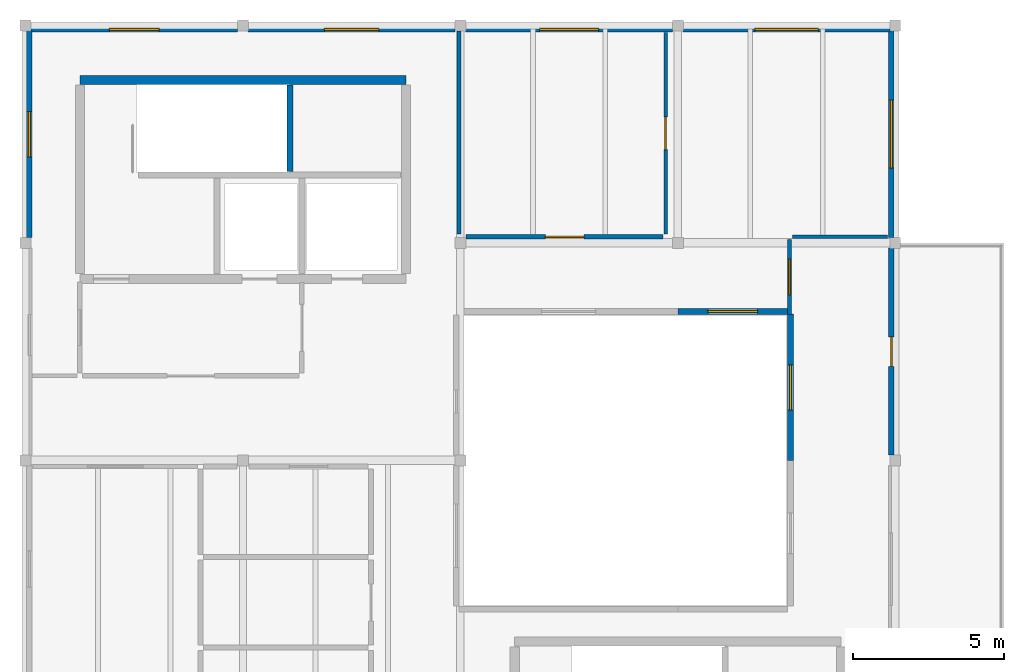
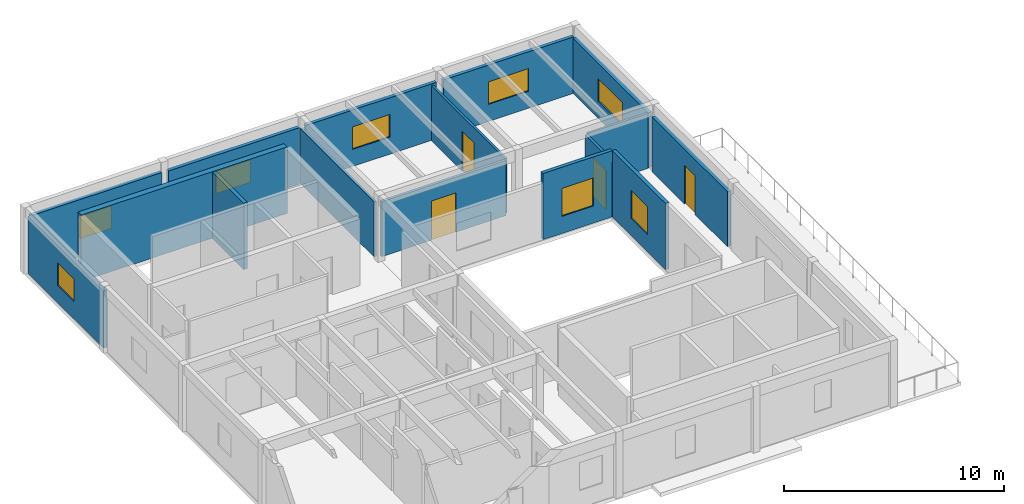
# One storey, part 4 of 5: 16 walls, 8 windows, 4 doors, 12 openings.
"""IFC4 building model written with IfcOpenShell, lengths in metres."""

from ifc_helpers import new_model, si_unit, direction, frame, frame_2d, origin, place, context, subcontext, project, spatial, rectangle, extrude, material, layer, layer_set, type_object, element, fill, save


model = new_model("IFC4")

# Units and contexts
model_context = context("Model", 3, precision=1e-05, world=origin(), true_north=direction((0.0, 1.0)))
body_context = subcontext(model_context, "Body", "Model", "MODEL_VIEW")
ifc_project = project(units=[si_unit("LENGTHUNIT", "METRE"), si_unit("AREAUNIT", "SQUARE_METRE"), si_unit("VOLUMEUNIT", "CUBIC_METRE"), si_unit("PLANEANGLEUNIT", "RADIAN"), si_unit("MASSUNIT", "GRAM", prefix="KILO")], contexts=[model_context])

# Site, building, storey
site_placement = place(None, origin())
site = spatial("IfcSite", under=ifc_project, at=site_placement, CompositionType="ELEMENT")
building_placement = place(site_placement, origin())
building = spatial("IfcBuilding", under=site, at=building_placement, Name="Bramvelor Terrace Health Centre", CompositionType="ELEMENT")
storey_placement = place(building_placement, frame((0.0, 0.0, 21.60009765625)))
storey = spatial("IfcBuildingStorey", under=building, at=storey_placement, Name="L06", CompositionType="ELEMENT", Elevation=21.60009765625)

# Wall
ifc_material_1 = material(Name="Acoustic clinical partition board", Category="gypsum")
ifc_layer_1 = layer(ifc_material_1, 0.110107421875)
ifc_layer_set_1 = layer_set([ifc_layer_1], Name="Acoustic clinical partition board")
wall_type_1 = type_object("IfcWallType", Name="WL-CLN-110", PredefinedType="PARTITIONING", material=ifc_layer_set_1)
wall_1_placement = place(storey_placement, frame((25.39208984375, 108.199951171875, 0.0), z_axis=(0.0, 0.0, 1.0), x_axis=(1.0, 0.0, 0.0)))
element("IfcWall", 1, at=wall_1_placement, inside=storey, type_object=wall_type_1, Name="L06 Interior Partition 381", PredefinedType="PARTITIONING", context=body_context, shape_type="SweptSolid", body=[
    extrude(rectangle(XDim=3.157958984375, YDim=0.110107421875, at=frame_2d((1.5791015625, 0.0))), origin(), (0.0, 0.0, 1.0), 3.0498046875),
])

# Wall, opening, door
ifc_material_2 = material(Name="Acoustic clinical partition board", Category="gypsum")
ifc_layer_2 = layer(ifc_material_2, 0.1201171875)
ifc_layer_set_2 = layer_set([ifc_layer_2], Name="Acoustic clinical partition board")
wall_type_2 = type_object("IfcWallType", Name="WL-CLN-120", PredefinedType="PARTITIONING", material=ifc_layer_set_2)
wall_2_placement = place(storey_placement, frame((21.199951171875, 114.967529296875, 0.0), z_axis=(0.0, 0.0, 1.0), x_axis=(0.0, -1.0, 0.0)))
wall_2 = element("IfcWall", 2, at=wall_2_placement, inside=storey, type_object=wall_type_2, Name="L06 Interior Partition 377", PredefinedType="PARTITIONING", context=body_context, shape_type="SweptSolid", body=[
    extrude(rectangle(XDim=6.675537109375, YDim=0.1201171875, at=frame_2d((3.337890625, 0.0))), origin(), (0.0, 0.0, 1.0), 3.0498046875),
])
opening_1_placement = place(wall_2_placement, frame((2.792724609375, 0.0, 0.0)))
opening_1 = element("IfcOpeningElement", 3, at=opening_1_placement, cuts=wall_2, Name="Opening ID-C07", PredefinedType="OPENING", context=body_context, shape_type="SweptSolid", body=[
    extrude(rectangle(XDim=1.090087890625, YDim=2.219970703125, at=frame_2d((0.544921875, 1.10986328125))), frame((0.0, 0.070068359375, 0.0), z_axis=(0.0, -1.0, 0.0), x_axis=(1.0, 0.0, 0.0)), (0.0, 0.0, 1.0), 0.14013671875),
])
ifc_material_3 = material(Name="Solid-core acoustic timber laminate", Category="wood")
door_type_1 = type_object("IfcDoorType", Name="DR-CLN-07", OperationType="NOTDEFINED", PredefinedType="DOOR", material=ifc_material_3)
door_1_placement = place(opening_1_placement, origin())
door_1 = element("IfcDoor", 4, at=door_1_placement, inside=storey, type_object=door_type_1, Name="L06 Vaccine Cold-Chain Quality Lab Clinical Door", OperationType="SINGLE_SWING_RIGHT", OverallHeight=2.219970703125, OverallWidth=1.090087890625, PredefinedType="DOOR", context=body_context, shape_type="SweptSolid", body=[
    extrude(rectangle(XDim=1.090087890625, YDim=2.219970703125, at=frame_2d((0.544921875, 1.10986328125))), frame((0.0, 0.02490234375, 0.0), z_axis=(0.0, -1.0, 0.0), x_axis=(1.0, 0.0, 0.0)), (0.0, 0.0, 1.0), 0.050048828125),
])
fill(opening_1, door_1)

# Wall
ifc_material_4 = material(Name="Acoustic clinical partition board", Category="gypsum")
ifc_layer_3 = layer(ifc_material_4, 0.1298828125)
ifc_layer_set_3 = layer_set([ifc_layer_3], Name="Acoustic clinical partition board")
wall_type_3 = type_object("IfcWallType", Name="WL-CLN-130", PredefinedType="PARTITIONING", material=ifc_layer_set_3)
wall_3_placement = place(storey_placement, frame((14.35009765625, 108.2919921875, 0.0), z_axis=(0.0, 0.0, 1.0), x_axis=(0.0, 1.0, 0.0)))
element("IfcWall", 5, at=wall_3_placement, inside=storey, type_object=wall_type_3, Name="L06 Interior Partition 379", PredefinedType="PARTITIONING", context=body_context, shape_type="SweptSolid", body=[
    extrude(rectangle(XDim=6.718017578125, YDim=0.1298828125, at=frame_2d((3.35888671875, 0.0))), origin(), (0.0, 0.0, 1.0), 3.0498046875),
])

# Wall, opening, door
ifc_material_5 = material(Name="Fire-rated gypsum and mineral wool", Category="gypsum")
ifc_layer_4 = layer(ifc_material_5, 0.139892578125)
ifc_layer_set_4 = layer_set([ifc_layer_4], Name="Fire-rated gypsum and mineral wool")
wall_type_4 = type_object("IfcWallType", Name="WL-COR-140", PredefinedType="PARTITIONING", material=ifc_layer_set_4)
wall_4_placement = place(storey_placement, frame((21.110107421875, 108.201904296875, 0.0), z_axis=(0.0, 0.0, 1.0), x_axis=(-1.0, 0.0, 0.0)))
wall_4 = element("IfcWall", 6, at=wall_4_placement, inside=storey, type_object=wall_type_4, Name="L06 Interior Partition 378", PredefinedType="PARTITIONING", context=body_context, shape_type="SweptSolid", body=[
    extrude(rectangle(XDim=6.51513671875, YDim=0.139892578125, at=frame_2d((3.257568359375, 0.0))), origin(), (0.0, 0.0, 1.0), 3.0498046875),
])
opening_2_placement = place(wall_4_placement, frame((2.617431640625, 0.0, 0.0)))
opening_2 = element("IfcOpeningElement", 7, at=opening_2_placement, cuts=wall_4, Name="Opening FD-01", PredefinedType="OPENING", context=body_context, shape_type="SweptSolid", body=[
    extrude(rectangle(XDim=1.280029296875, YDim=2.179931640625, at=frame_2d((0.64013671875, 1.08984375))), frame((0.0, 0.079833984375, 0.0), z_axis=(0.0, -1.0, 0.0), x_axis=(1.0, 0.0, 0.0)), (0.0, 0.0, 1.0), 0.159912109375),
])
ifc_material_6 = material(Name="Fire-rated steel and vision panel", Category="steel")
door_type_2 = type_object("IfcDoorType", Name="DR-FD90-128", OperationType="NOTDEFINED", PredefinedType="DOOR", material=ifc_material_6)
door_2_placement = place(opening_2_placement, origin())
door_2 = element("IfcDoor", 8, at=door_2_placement, inside=storey, type_object=door_type_2, Name="L06 Clinical Simulation Skills Training Lab Fire Door", OperationType="SINGLE_SWING_RIGHT", OverallHeight=2.179931640625, OverallWidth=1.280029296875, PredefinedType="DOOR", context=body_context, shape_type="SweptSolid", body=[
    extrude(rectangle(XDim=1.280029296875, YDim=2.179931640625, at=frame_2d((0.64013671875, 1.08984375))), frame((0.0, 0.02490234375, 0.0), z_axis=(0.0, -1.0, 0.0), x_axis=(1.0, 0.0, 0.0)), (0.0, 0.0, 1.0), 0.050048828125),
])
fill(opening_2, door_2)

wall_5_placement = place(storey_placement, frame((25.302001953125, 105.635009765625, 0.0), z_axis=(0.0, 0.0, 1.0), x_axis=(0.0, 1.0, 0.0)))
wall_5 = element("IfcWall", 9, at=wall_5_placement, inside=storey, type_object=wall_type_4, Name="L06 Interior Partition 380", PredefinedType="PARTITIONING", context=body_context, shape_type="SweptSolid", body=[
    extrude(rectangle(XDim=2.47509765625, YDim=0.139892578125, at=frame_2d((1.237548828125, 0.0))), origin(), (0.0, 0.0, 1.0), 3.0498046875),
])
opening_3_placement = place(wall_5_placement, frame((0.6474609375, 0.0, 0.0)))
opening_3 = element("IfcOpeningElement", 10, at=opening_3_placement, cuts=wall_5, Name="Opening FD-02", PredefinedType="OPENING", context=body_context, shape_type="SweptSolid", body=[
    extrude(rectangle(XDim=1.179931640625, YDim=2.159912109375, at=frame_2d((0.58984375, 1.080078125))), frame((0.0, 0.079833984375, 0.0), z_axis=(0.0, -1.0, 0.0), x_axis=(1.0, 0.0, 0.0)), (0.0, 0.0, 1.0), 0.159912109375),
])
ifc_material_7 = material(Name="Fire-rated steel and vision panel", Category="steel")
door_type_3 = type_object("IfcDoorType", Name="DR-FD90-118", OperationType="NOTDEFINED", PredefinedType="DOOR", material=ifc_material_7)
door_3_placement = place(opening_3_placement, origin())
door_3 = element("IfcDoor", 11, at=door_3_placement, inside=storey, type_object=door_type_3, Name="L06 Public Health Emergency Operations Room Fire Door", OperationType="SINGLE_SWING_LEFT", OverallHeight=2.159912109375, OverallWidth=1.179931640625, PredefinedType="DOOR", context=body_context, shape_type="SweptSolid", body=[
    extrude(rectangle(XDim=1.179931640625, YDim=2.159912109375, at=frame_2d((0.58984375, 1.080078125))), frame((0.0, 0.02490234375, 0.0), z_axis=(0.0, -1.0, 0.0), x_axis=(1.0, 0.0, 0.0)), (0.0, 0.0, 1.0), 0.050048828125),
])
fill(opening_3, door_3)

# Walls
ifc_material_8 = material(Name="Concrete C40/50", Category="concrete")
ifc_layer_5 = layer(ifc_material_8, 0.199951171875)
ifc_layer_set_5 = layer_set([ifc_layer_5], Name="Concrete C40/50")
wall_type_5 = type_object("IfcWallType", Name="WL-CORE-200", PredefinedType="SHEAR", material=ifc_layer_set_5)
wall_6_placement = place(storey_placement, frame((8.7548828125, 110.3701171875, 0.0), z_axis=(0.0, 0.0, 1.0), x_axis=(0.0, 1.0, 0.0)))
element("IfcWall", 12, at=wall_6_placement, inside=storey, type_object=wall_type_5, Name="C1 L06 Core Shear Wall", PredefinedType="SHEAR", context=body_context, shape_type="SweptSolid", body=[
    extrude(rectangle(XDim=2.849853515625, YDim=0.199951171875, at=frame_2d((1.4248046875, 0.0))), origin(), (0.0, 0.0, 1.0), 3.684814453125),
])
ifc_material_9 = material(Name="Concrete C40/50", Category="concrete")
ifc_layer_6 = layer(ifc_material_9, 0.300048828125)
ifc_layer_set_6 = layer_set([ifc_layer_6], Name="Concrete C40/50")
wall_type_6 = type_object("IfcWallType", Name="WL-CORE-300", PredefinedType="SHEAR", material=ifc_layer_set_6)
wall_7_placement = place(storey_placement, frame((1.800048828125, 113.39990234375, 0.0), z_axis=(0.0, 0.0, 1.0), x_axis=(1.0, 0.0, 0.0)))
element("IfcWall", 13, at=wall_7_placement, inside=storey, type_object=wall_type_6, Name="C1 L06 Core Shear Wall", PredefinedType="SHEAR", context=body_context, shape_type="SweptSolid", body=[
    extrude(rectangle(XDim=10.800048828125, YDim=0.300048828125, at=frame_2d((5.39990234375, 0.0))), origin(), (0.0, 0.0, 1.0), 3.684814453125),
])

# Wall, opening, window
ifc_material_10 = material(Name="Cross-laminated timber C24", Category="wood")
ifc_layer_7 = layer(ifc_material_10, 0.18505859375)
ifc_layer_set_7 = layer_set([ifc_layer_7], Name="Cross-laminated timber C24")
wall_type_7 = type_object("IfcWallType", Name="WL-EXT-CLT185", PredefinedType="SOLIDWALL", material=ifc_layer_set_7)
wall_8_placement = place(storey_placement, frame((0.1298828125, 108.175048828125, 0.0), z_axis=(0.0, 0.0, 1.0), x_axis=(0.0, 1.0, 0.0)))
wall_8 = element("IfcWall", 14, at=wall_8_placement, inside=storey, type_object=wall_type_7, Name="L06 Exterior Facade Wall 6", PredefinedType="SOLIDWALL", context=body_context, shape_type="SweptSolid", body=[
    extrude(rectangle(XDim=6.849853515625, YDim=0.18505859375, at=frame_2d((3.4248046875, 0.0))), origin(), (0.0, 0.0, 1.0), 3.169921875),
])
opening_4_placement = place(wall_8_placement, frame((2.675048828125, 0.0, 0.949951171875)))
opening_4 = element("IfcOpeningElement", 15, at=opening_4_placement, cuts=wall_8, Name="Opening WN-30", PredefinedType="OPENING", context=body_context, shape_type="SweptSolid", body=[
    extrude(rectangle(XDim=1.5, YDim=1.25, at=frame_2d((0.75, 0.625))), frame((0.0, 0.1025390625, 0.0), z_axis=(0.0, -1.0, 0.0), x_axis=(1.0, 0.0, 0.0)), (0.0, 0.0, 1.0), 0.205078125),
])
ifc_material_11 = material(Name="Double low-E laminated glass", Category="glass")
window_type_1 = type_object("IfcWindowType", Name="WIN-EXT-30", PartitioningType="SINGLE_PANEL", PredefinedType="WINDOW", material=ifc_material_11)
window_1_placement = place(opening_4_placement, origin())
window_1 = element("IfcWindow", 16, at=window_1_placement, inside=storey, type_object=window_type_1, Name="L06 Scheduled Clinical Window 270", OverallHeight=1.25, OverallWidth=1.5, PartitioningType="SINGLE_PANEL", PredefinedType="WINDOW", context=body_context, shape_type="SweptSolid", body=[
    extrude(rectangle(XDim=1.5, YDim=1.25, at=frame_2d((0.75, 0.625))), frame((0.0, 0.030029296875, 0.0), z_axis=(0.0, -1.0, 0.0), x_axis=(1.0, 0.0, 0.0)), (0.0, 0.0, 1.0), 0.06005859375),
])
fill(opening_4, window_1)

wall_9_placement = place(storey_placement, frame((0.175048828125, 115.070068359375, 0.0), z_axis=(0.0, 0.0, 1.0), x_axis=(1.0, 0.0, 0.0)))
wall_9 = element("IfcWall", 17, at=wall_9_placement, inside=storey, type_object=wall_type_7, Name="L06 Exterior Facade Wall 7", PredefinedType="SOLIDWALL", context=body_context, shape_type="SweptSolid", body=[
    extrude(rectangle(XDim=6.849853515625, YDim=0.18505859375, at=frame_2d((3.4248046875, 0.0))), origin(), (0.0, 0.0, 1.0), 3.169921875),
])
opening_5_placement = place(wall_9_placement, frame((2.60009765625, 0.0, 0.949951171875)))
opening_5 = element("IfcOpeningElement", 18, at=opening_5_placement, cuts=wall_9, Name="Opening WN-31", PredefinedType="OPENING", context=body_context, shape_type="SweptSolid", body=[
    extrude(rectangle(XDim=1.64990234375, YDim=1.25, at=frame_2d((0.824951171875, 0.625))), frame((0.0, 0.1025390625, 0.0), z_axis=(0.0, -1.0, 0.0), x_axis=(1.0, 0.0, 0.0)), (0.0, 0.0, 1.0), 0.205078125),
])
ifc_material_12 = material(Name="Double low-E laminated glass", Category="glass")
window_type_2 = type_object("IfcWindowType", Name="WIN-EXT-31", PartitioningType="SINGLE_PANEL", PredefinedType="WINDOW", material=ifc_material_12)
window_2_placement = place(opening_5_placement, origin())
window_2 = element("IfcWindow", 19, at=window_2_placement, inside=storey, type_object=window_type_2, Name="L06 Scheduled Clinical Window 271", OverallHeight=1.25, OverallWidth=1.64990234375, PartitioningType="SINGLE_PANEL", PredefinedType="WINDOW", context=body_context, shape_type="SweptSolid", body=[
    extrude(rectangle(XDim=1.64990234375, YDim=1.25, at=frame_2d((0.824951171875, 0.625))), frame((0.0, 0.030029296875, 0.0), z_axis=(0.0, -1.0, 0.0), x_axis=(1.0, 0.0, 0.0)), (0.0, 0.0, 1.0), 0.06005859375),
])
fill(opening_5, window_2)

wall_10_placement = place(storey_placement, frame((7.375, 115.070068359375, 0.0), z_axis=(0.0, 0.0, 1.0), x_axis=(1.0, 0.0, 0.0)))
wall_10 = element("IfcWall", 20, at=wall_10_placement, inside=storey, type_object=wall_type_7, Name="L06 Exterior Facade Wall 8", PredefinedType="SOLIDWALL", context=body_context, shape_type="SweptSolid", body=[
    extrude(rectangle(XDim=6.85009765625, YDim=0.18505859375, at=frame_2d((3.425048828125, 0.0))), origin(), (0.0, 0.0, 1.0), 3.1298828125),
])
opening_6_placement = place(wall_10_placement, frame((2.52490234375, 0.0, 0.949951171875)))
opening_6 = element("IfcOpeningElement", 21, at=opening_6_placement, cuts=wall_10, Name="Opening WN-32", PredefinedType="OPENING", context=body_context, shape_type="SweptSolid", body=[
    extrude(rectangle(XDim=1.800048828125, YDim=1.25, at=frame_2d((0.89990234375, 0.625))), frame((0.0, 0.1025390625, 0.0), z_axis=(0.0, -1.0, 0.0), x_axis=(1.0, 0.0, 0.0)), (0.0, 0.0, 1.0), 0.205078125),
])
ifc_material_13 = material(Name="Double low-E laminated glass", Category="glass")
window_type_3 = type_object("IfcWindowType", Name="WIN-EXT-32", PartitioningType="SINGLE_PANEL", PredefinedType="WINDOW", material=ifc_material_13)
window_3_placement = place(opening_6_placement, origin())
window_3 = element("IfcWindow", 22, at=window_3_placement, inside=storey, type_object=window_type_3, Name="L06 Scheduled Clinical Window 272", OverallHeight=1.25, OverallWidth=1.800048828125, PartitioningType="SINGLE_PANEL", PredefinedType="WINDOW", context=body_context, shape_type="SweptSolid", body=[
    extrude(rectangle(XDim=1.800048828125, YDim=1.25, at=frame_2d((0.89990234375, 0.625))), frame((0.0, 0.030029296875, 0.0), z_axis=(0.0, -1.0, 0.0), x_axis=(1.0, 0.0, 0.0)), (0.0, 0.0, 1.0), 0.06005859375),
])
fill(opening_6, window_3)

wall_11_placement = place(storey_placement, frame((14.574951171875, 115.070068359375, 0.0), z_axis=(0.0, 0.0, 1.0), x_axis=(1.0, 0.0, 0.0)))
wall_11 = element("IfcWall", 23, at=wall_11_placement, inside=storey, type_object=wall_type_7, Name="L06 Exterior Facade Wall 9", PredefinedType="SOLIDWALL", context=body_context, shape_type="SweptSolid", body=[
    extrude(rectangle(XDim=6.85009765625, YDim=0.18505859375, at=frame_2d((3.425048828125, 0.0))), origin(), (0.0, 0.0, 1.0), 3.1298828125),
])
opening_7_placement = place(wall_11_placement, frame((2.449951171875, 0.0, 0.949951171875)))
opening_7 = element("IfcOpeningElement", 24, at=opening_7_placement, cuts=wall_11, Name="Opening WN-33", PredefinedType="OPENING", context=body_context, shape_type="SweptSolid", body=[
    extrude(rectangle(XDim=1.949951171875, YDim=1.25, at=frame_2d((0.97509765625, 0.625))), frame((0.0, 0.1025390625, 0.0), z_axis=(0.0, -1.0, 0.0), x_axis=(1.0, 0.0, 0.0)), (0.0, 0.0, 1.0), 0.205078125),
])
ifc_material_14 = material(Name="Double low-E laminated glass", Category="glass")
window_type_4 = type_object("IfcWindowType", Name="WIN-EXT-33", PartitioningType="SINGLE_PANEL", PredefinedType="WINDOW", material=ifc_material_14)
window_4_placement = place(opening_7_placement, origin())
window_4 = element("IfcWindow", 25, at=window_4_placement, inside=storey, type_object=window_type_4, Name="L06 Scheduled Clinical Window 273", OverallHeight=1.25, OverallWidth=1.949951171875, PartitioningType="SINGLE_PANEL", PredefinedType="WINDOW", context=body_context, shape_type="SweptSolid", body=[
    extrude(rectangle(XDim=1.949951171875, YDim=1.25, at=frame_2d((0.97509765625, 0.625))), frame((0.0, 0.030029296875, 0.0), z_axis=(0.0, -1.0, 0.0), x_axis=(1.0, 0.0, 0.0)), (0.0, 0.0, 1.0), 0.06005859375),
])
fill(opening_7, window_4)

wall_12_placement = place(storey_placement, frame((21.77490234375, 115.070068359375, 0.0), z_axis=(0.0, 0.0, 1.0), x_axis=(1.0, 0.0, 0.0)))
wall_12 = element("IfcWall", 26, at=wall_12_placement, inside=storey, type_object=wall_type_7, Name="L06 Exterior Facade Wall 10", PredefinedType="SOLIDWALL", context=body_context, shape_type="SweptSolid", body=[
    extrude(rectangle(XDim=6.85009765625, YDim=0.18505859375, at=frame_2d((3.425048828125, 0.0))), origin(), (0.0, 0.0, 1.0), 3.1298828125),
])
opening_8_placement = place(wall_12_placement, frame((2.375, 0.0, 0.949951171875)))
opening_8 = element("IfcOpeningElement", 27, at=opening_8_placement, cuts=wall_12, Name="Opening WN-34", PredefinedType="OPENING", context=body_context, shape_type="SweptSolid", body=[
    extrude(rectangle(XDim=2.10009765625, YDim=1.25, at=frame_2d((1.050048828125, 0.625))), frame((0.0, 0.1025390625, 0.0), z_axis=(0.0, -1.0, 0.0), x_axis=(1.0, 0.0, 0.0)), (0.0, 0.0, 1.0), 0.205078125),
])
ifc_material_15 = material(Name="Double low-E laminated glass", Category="glass")
window_type_5 = type_object("IfcWindowType", Name="WIN-EXT-34", PartitioningType="SINGLE_PANEL", PredefinedType="WINDOW", material=ifc_material_15)
window_5_placement = place(opening_8_placement, origin())
window_5 = element("IfcWindow", 28, at=window_5_placement, inside=storey, type_object=window_type_5, Name="L06 Scheduled Clinical Window 274", OverallHeight=1.25, OverallWidth=2.10009765625, PartitioningType="SINGLE_PANEL", PredefinedType="WINDOW", context=body_context, shape_type="SweptSolid", body=[
    extrude(rectangle(XDim=2.10009765625, YDim=1.25, at=frame_2d((1.050048828125, 0.625))), frame((0.0, 0.030029296875, 0.0), z_axis=(0.0, -1.0, 0.0), x_axis=(1.0, 0.0, 0.0)), (0.0, 0.0, 1.0), 0.06005859375),
])
fill(opening_8, window_5)

wall_13_placement = place(storey_placement, frame((28.669921875, 115.02490234375, 0.0), z_axis=(0.0, 0.0, 1.0), x_axis=(0.0, -1.0, 0.0)))
wall_13 = element("IfcWall", 29, at=wall_13_placement, inside=storey, type_object=wall_type_7, Name="L06 Exterior Facade Wall 11", PredefinedType="SOLIDWALL", context=body_context, shape_type="SweptSolid", body=[
    extrude(rectangle(XDim=6.849853515625, YDim=0.18505859375, at=frame_2d((3.4248046875, 0.0))), origin(), (0.0, 0.0, 1.0), 3.0498046875),
])
opening_9_placement = place(wall_13_placement, frame((2.300048828125, 0.0, 0.949951171875)))
opening_9 = element("IfcOpeningElement", 30, at=opening_9_placement, cuts=wall_13, Name="Opening WN-35", PredefinedType="OPENING", context=body_context, shape_type="SweptSolid", body=[
    extrude(rectangle(XDim=2.25, YDim=1.25, at=frame_2d((1.125, 0.625))), frame((0.0, 0.1025390625, 0.0), z_axis=(0.0, -1.0, 0.0), x_axis=(1.0, 0.0, 0.0)), (0.0, 0.0, 1.0), 0.205078125),
])
ifc_material_16 = material(Name="Double low-E laminated glass", Category="glass")
window_type_6 = type_object("IfcWindowType", Name="WIN-EXT-35", PartitioningType="SINGLE_PANEL", PredefinedType="WINDOW", material=ifc_material_16)
window_6_placement = place(opening_9_placement, origin())
window_6 = element("IfcWindow", 31, at=window_6_placement, inside=storey, type_object=window_type_6, Name="L06 Scheduled Clinical Window 275", OverallHeight=1.25, OverallWidth=2.25, PartitioningType="SINGLE_PANEL", PredefinedType="WINDOW", context=body_context, shape_type="SweptSolid", body=[
    extrude(rectangle(XDim=2.25, YDim=1.25, at=frame_2d((1.125, 0.625))), frame((0.0, 0.030029296875, 0.0), z_axis=(0.0, -1.0, 0.0), x_axis=(1.0, 0.0, 0.0)), (0.0, 0.0, 1.0), 0.06005859375),
])
fill(opening_9, window_6)

# Wall, opening, door
wall_14_placement = place(storey_placement, frame((28.669921875, 107.824951171875, 0.0), z_axis=(0.0, 0.0, 1.0), x_axis=(0.0, -1.0, 0.0)))
wall_14 = element("IfcWall", 32, at=wall_14_placement, inside=storey, type_object=wall_type_7, Name="L06 Exterior Facade Wall 12", PredefinedType="SOLIDWALL", context=body_context, shape_type="SweptSolid", body=[
    extrude(rectangle(XDim=6.849853515625, YDim=0.18505859375, at=frame_2d((3.4248046875, 0.0))), origin(), (0.0, 0.0, 1.0), 3.0498046875),
])
opening_10_placement = place(wall_14_placement, frame((2.93505859375, 0.0, 0.0)))
opening_10 = element("IfcOpeningElement", 33, at=opening_10_placement, cuts=wall_14, Name="Opening ED-11", PredefinedType="OPENING", context=body_context, shape_type="SweptSolid", body=[
    extrude(rectangle(XDim=0.97998046875, YDim=2.14990234375, at=frame_2d((0.489990234375, 1.074951171875))), frame((0.0, 0.1025390625, 0.0), z_axis=(0.0, -1.0, 0.0), x_axis=(1.0, 0.0, 0.0)), (0.0, 0.0, 1.0), 0.205078125),
])
ifc_material_17 = material(Name="Anodized aluminium and laminated glass", Category="aluminium")
door_type_4 = type_object("IfcDoorType", Name="DR-EXT-TER-098", OperationType="NOTDEFINED", PredefinedType="DOOR", material=ifc_material_17)
door_4_placement = place(opening_10_placement, origin())
door_4 = element("IfcDoor", 34, at=door_4_placement, inside=storey, type_object=door_type_4, Name="L06 Exterior Door 16", OperationType="SINGLE_SWING_RIGHT", OverallHeight=2.14990234375, OverallWidth=0.97998046875, PredefinedType="DOOR", context=body_context, shape_type="SweptSolid", body=[
    extrude(rectangle(XDim=0.97998046875, YDim=2.14990234375, at=frame_2d((0.489990234375, 1.074951171875))), frame((0.0, 0.02490234375, 0.0), z_axis=(0.0, -1.0, 0.0), x_axis=(1.0, 0.0, 0.0)), (0.0, 0.0, 1.0), 0.050048828125),
])
fill(opening_10, door_4)

# Wall, opening, window
wall_15_placement = place(storey_placement, frame((25.330078125, 100.800048828125, 0.0), z_axis=(0.0, 0.0, 1.0), x_axis=(0.0, 1.0, 0.0)))
wall_15 = element("IfcWall", 35, at=wall_15_placement, inside=storey, type_object=wall_type_7, Name="L06 Exterior Facade Wall 21", PredefinedType="SOLIDWALL", context=body_context, shape_type="SweptSolid", body=[
    extrude(rectangle(XDim=4.850830078125, YDim=0.18505859375, at=frame_2d((2.42529296875, 0.0))), origin(), (0.0, 0.0, 1.0), 3.669921875),
])
opening_11_placement = place(wall_15_placement, frame((1.659912109375, 0.0, 0.949951171875)))
opening_11 = element("IfcOpeningElement", 36, at=opening_11_placement, cuts=wall_15, Name="Opening WN-42", PredefinedType="OPENING", context=body_context, shape_type="SweptSolid", body=[
    extrude(rectangle(XDim=1.5, YDim=1.550048828125, at=frame_2d((0.75, 0.77490234375))), frame((0.0, 0.1025390625, 0.0), z_axis=(0.0, -1.0, 0.0), x_axis=(1.0, 0.0, 0.0)), (0.0, 0.0, 1.0), 0.205078125),
])
ifc_material_18 = material(Name="Double low-E laminated glass", Category="glass")
window_type_7 = type_object("IfcWindowType", Name="WIN-EXT-42", PartitioningType="SINGLE_PANEL", PredefinedType="WINDOW", material=ifc_material_18)
window_7_placement = place(opening_11_placement, origin())
window_7 = element("IfcWindow", 37, at=window_7_placement, inside=storey, type_object=window_type_7, Name="L06 Scheduled Clinical Window 282", OverallHeight=1.550048828125, OverallWidth=1.5, PartitioningType="SINGLE_PANEL", PredefinedType="WINDOW", context=body_context, shape_type="SweptSolid", body=[
    extrude(rectangle(XDim=1.5, YDim=1.550048828125, at=frame_2d((0.75, 0.77490234375))), frame((0.0, 0.030029296875, 0.0), z_axis=(0.0, -1.0, 0.0), x_axis=(1.0, 0.0, 0.0)), (0.0, 0.0, 1.0), 0.06005859375),
])
fill(opening_11, window_7)

wall_16_placement = place(storey_placement, frame((25.239990234375, 105.72998046875, 0.0), z_axis=(0.0, 0.0, 1.0), x_axis=(-1.0, 0.0, 0.0)))
wall_16 = element("IfcWall", 38, at=wall_16_placement, inside=storey, type_object=wall_type_7, Name="L06 Exterior Facade Wall 22", PredefinedType="SOLIDWALL", context=body_context, shape_type="SweptSolid", body=[
    extrude(rectangle(XDim=3.639892578125, YDim=0.18505859375, at=frame_2d((1.81982421875, 0.0))), origin(), (0.0, 0.0, 1.0), 3.669921875),
])
opening_12_placement = place(wall_16_placement, frame((0.9951171875, 0.0, 0.949951171875)))
opening_12 = element("IfcOpeningElement", 39, at=opening_12_placement, cuts=wall_16, Name="Opening WN-43", PredefinedType="OPENING", context=body_context, shape_type="SweptSolid", body=[
    extrude(rectangle(XDim=1.64990234375, YDim=1.550048828125, at=frame_2d((0.824951171875, 0.77490234375))), frame((0.0, 0.1025390625, 0.0), z_axis=(0.0, -1.0, 0.0), x_axis=(1.0, 0.0, 0.0)), (0.0, 0.0, 1.0), 0.205078125),
])
ifc_material_19 = material(Name="Double low-E laminated glass", Category="glass")
window_type_8 = type_object("IfcWindowType", Name="WIN-EXT-43", PartitioningType="SINGLE_PANEL", PredefinedType="WINDOW", material=ifc_material_19)
window_8_placement = place(opening_12_placement, origin())
window_8 = element("IfcWindow", 40, at=window_8_placement, inside=storey, type_object=window_type_8, Name="L06 Scheduled Clinical Window 283", OverallHeight=1.550048828125, OverallWidth=1.64990234375, PartitioningType="SINGLE_PANEL", PredefinedType="WINDOW", context=body_context, shape_type="SweptSolid", body=[
    extrude(rectangle(XDim=1.64990234375, YDim=1.550048828125, at=frame_2d((0.824951171875, 0.77490234375))), frame((0.0, 0.030029296875, 0.0), z_axis=(0.0, -1.0, 0.0), x_axis=(1.0, 0.0, 0.0)), (0.0, 0.0, 1.0), 0.06005859375),
])
fill(opening_12, window_8)

save(model, "model.ifc")
